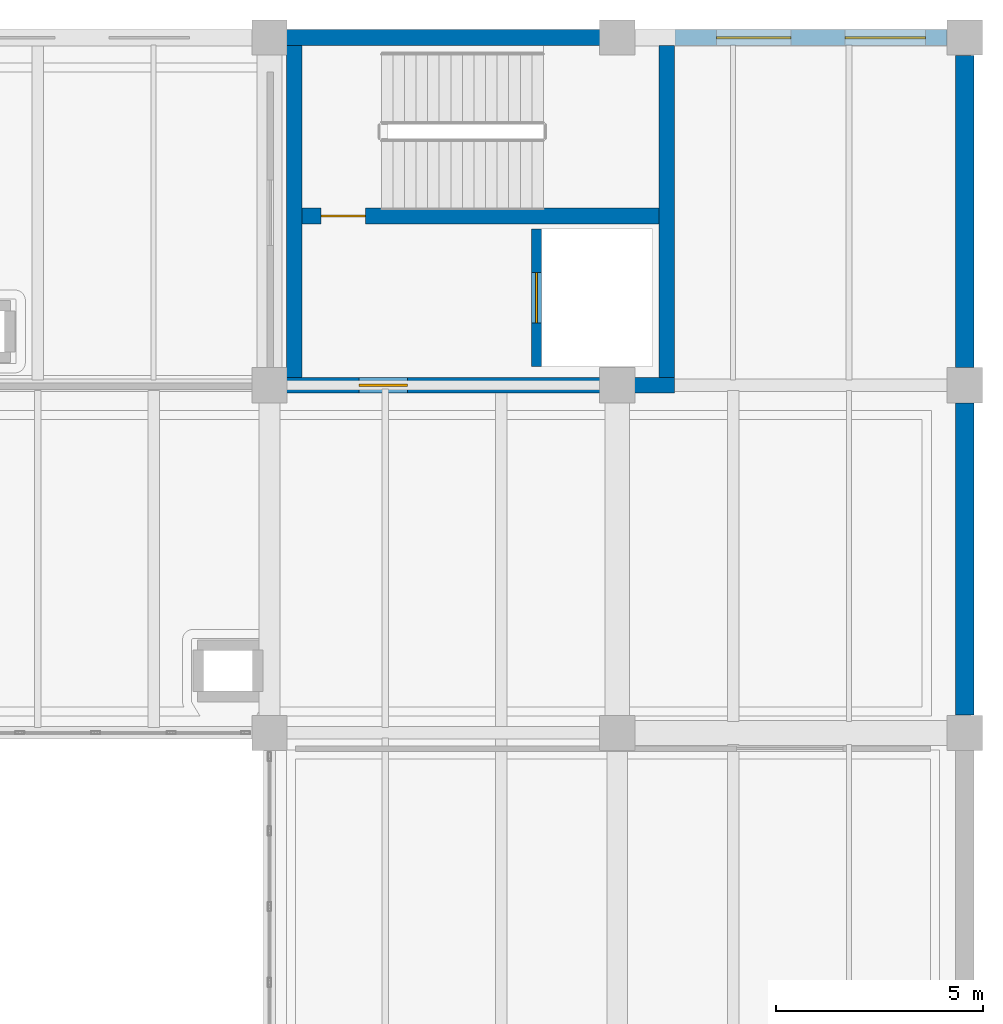
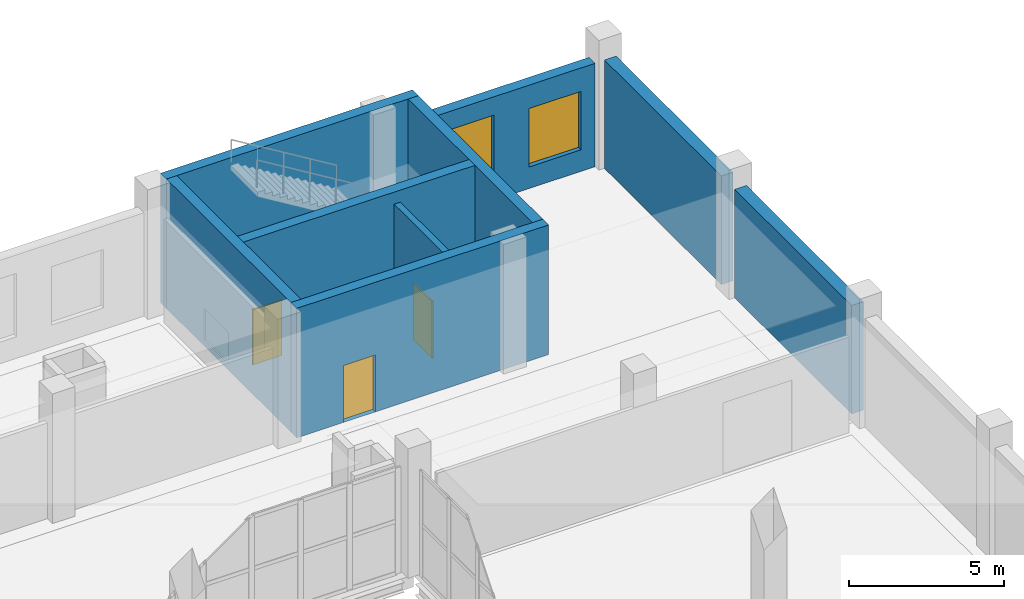
# One storey, part 52 of 66: 9 walls, 3 doors, 2 windows, 5 openings.
"""IFC4 building model written with IfcOpenShell, lengths in metres."""

import ifcopenshell
import ifcopenshell.guid

model = None  # the IFC model being written
_history = None  # IfcOwnerHistory: only IFC2X3 demands one
_inside = {}  # id of a spatial element -> (the spatial element, [elements in it])
_under = {}  # id of a project, library or spatial element -> (it, [spatial elements below it])
_declared = {}  # id of a project -> (the project, [libraries it declares])
_typed = {}  # id of a type object -> (the type object, [elements of that type])
_made_of = {}  # id of a material, layer set ... -> (it, [elements and type objects made of it])


def new_model(schema):
    """Start an empty IFC model of exactly this schema.

    Asked for "IFC4X3", IfcOpenShell would pick the latest addendum, in which some entities
    have other attributes; the version numbers below select the first issue.
    IFC2X3 requires an IfcOwnerHistory on every rooted entity: one is made here for all.
    """
    global model, _history
    if schema == "IFC4X3":
        model = ifcopenshell.file(schema_version=(4, 3, 0, 0))
    else:
        model = ifcopenshell.file(schema=schema)
    _inside.clear()
    _under.clear()
    _declared.clear()
    _typed.clear()
    _made_of.clear()
    _history = None
    if model.schema == "IFC2X3":
        org = make("IfcOrganization", Name="unknown")
        user = make(
            "IfcPersonAndOrganization",
            ThePerson=make("IfcPerson", FamilyName="unknown"),
            TheOrganization=org,
        )
        app = make(
            "IfcApplication",
            ApplicationDeveloper=org,
            Version="unknown",
            ApplicationFullName="unknown",
            ApplicationIdentifier="unknown",
        )
        _history = make(
            "IfcOwnerHistory",
            OwningUser=user,
            OwningApplication=app,
            ChangeAction="ADDED",
            CreationDate=0,
        )
    return model


def make(cls, **values):
    """One entity of the class cls with the attributes given. An attribute that is None is left unset."""
    return model.create_entity(
        cls, **{name: value for name, value in values.items() if value is not None}
    )


def rooted(cls, **values):
    """An entity with a GlobalId (a new one), such as an element, a storey or a relation."""
    return make(cls, GlobalId=ifcopenshell.guid.new(), OwnerHistory=_history, **values)


def si_unit(unit_type, name, prefix=None):
    """IfcSIUnit, for example si_unit("LENGTHUNIT", "METRE", prefix="MILLI")."""
    return make("IfcSIUnit", UnitType=unit_type, Prefix=prefix, Name=name)


def assignment(units):
    """IfcUnitAssignment: the units of a project."""
    return None if units is None else make("IfcUnitAssignment", Units=units)


def point(xyz):
    """IfcCartesianPoint."""
    return None if xyz is None else make("IfcCartesianPoint", Coordinates=xyz)


def direction(xyz):
    """IfcDirection."""
    return None if xyz is None else make("IfcDirection", DirectionRatios=xyz)


def frame(location, z_axis=None, x_axis=None):
    """IfcAxis2Placement3D, a coordinate frame: its origin and axes. An axis left out is left unset."""
    return make(
        "IfcAxis2Placement3D",
        Location=point(location),
        Axis=direction(z_axis),
        RefDirection=direction(x_axis),
    )


def frame_2d(location, x_axis=None):
    """IfcAxis2Placement2D, a coordinate frame in the plane: its origin and x axis."""
    return make(
        "IfcAxis2Placement2D", Location=point(location), RefDirection=direction(x_axis)
    )


def origin():
    """The frame at (0, 0, 0) with its axes left unset."""
    return frame((0.0, 0.0, 0.0))


def place(relative_to, where):
    """IfcLocalPlacement: puts the frame where relative to a parent placement (None: the world)."""
    return make(
        "IfcLocalPlacement", PlacementRelTo=relative_to, RelativePlacement=where
    )


def context(
    kind, dimensions, precision=None, world=None, true_north=None, identifier=None
):
    """IfcGeometricRepresentationContext, for example the 3D "Model" context."""
    return make(
        "IfcGeometricRepresentationContext",
        ContextIdentifier=identifier,
        ContextType=kind,
        CoordinateSpaceDimension=dimensions,
        Precision=precision,
        WorldCoordinateSystem=world,
        TrueNorth=true_north,
    )


def subcontext(parent, identifier, kind, view, scale=None):
    """IfcGeometricRepresentationSubContext, for example "Body" below "Model"."""
    return make(
        "IfcGeometricRepresentationSubContext",
        ContextIdentifier=identifier,
        ContextType=kind,
        ParentContext=parent,
        TargetScale=scale,
        TargetView=view,
    )


def project(units=None, contexts=None):
    """IfcProject with its units and contexts."""
    return rooted(
        "IfcProject",
        Name="project",
        RepresentationContexts=contexts,
        UnitsInContext=assignment(units),
    )


def spatial(cls, under=None, at=None, **own):
    """A site, building, storey or space (cls), placed at a placement, below another one or the project."""
    s = rooted(cls, ObjectPlacement=at, **own)
    if under is not None:
        _under.setdefault(under.id(), (under, []))[1].append(s)
    return s


def profile(cls, at=None, kind="AREA", **sizes):
    """A parametric profile (cls). Its sizes go by their IFC names, for example OverallWidth=200.0."""
    return make(cls, ProfileType=kind, Position=at, **sizes)


def rectangle(**sizes):
    """IfcRectangleProfileDef."""
    return profile("IfcRectangleProfileDef", **sizes)


def extrude(swept, where, along, depth):
    """IfcExtrudedAreaSolid: the profile swept, set in the frame where, extruded along a direction by depth."""
    return make(
        "IfcExtrudedAreaSolid",
        SweptArea=swept,
        Position=where,
        ExtrudedDirection=direction(along),
        Depth=depth,
    )


def shape(context_of_items, identifier, shape_type, items):
    """IfcShapeRepresentation: the items that make up one representation, for example the "Body"."""
    return make(
        "IfcShapeRepresentation",
        ContextOfItems=context_of_items,
        RepresentationIdentifier=identifier,
        RepresentationType=shape_type,
        Items=items,
    )


def material(Name=None, Category=None):
    """IfcMaterial."""
    return make("IfcMaterial", Name=Name, Category=Category)


def layer(
    of_material, thickness, ventilated=None, Name=None, Category=None, Priority=None
):
    """IfcMaterialLayer: one layer of a wall or slab, of a material (None: an air gap)."""
    return make(
        "IfcMaterialLayer",
        Material=of_material,
        LayerThickness=thickness,
        IsVentilated=ventilated,
        Name=Name,
        Category=Category,
        Priority=Priority,
    )


def layer_set(layers, Name=None):
    """IfcMaterialLayerSet."""
    return make("IfcMaterialLayerSet", MaterialLayers=layers, LayerSetName=Name)


def made_of(thing, what):
    """Note that an element or type object is made of a material, layer set ...; save() writes the relation."""
    if what is not None:
        _made_of.setdefault(what.id(), (what, []))[1].append(thing)
    return thing


def type_object(cls, material=None, **own):
    """A type object (cls), such as IfcWallType, which elements share."""
    return made_of(rooted(cls, **own), material)


def element(
    cls,
    number,
    at=None,
    inside=None,
    cuts=None,
    type_object=None,
    material=None,
    context=None,
    identifier="Body",
    shape_type=None,
    held_by="IfcProductDefinitionShape",
    body=None,
    shapes=None,
    **own,
):
    """One element of the class cls, such as IfcWall. Its Tag is "e" and its number.

    at: its placement. inside: the storey or other place that contains it. cuts: it is an
    opening in that element (IfcRelVoidsElement). A single representation is given by context,
    identifier, shape_type and body (its items); several are given by shapes. held_by: the class
    of the entity that holds the representations. save() writes the other relations.
    """
    e = rooted(cls, Tag="e%d" % number, ObjectPlacement=at, **own)
    if body is not None:
        shapes = [shape(context, identifier, shape_type, body)]
    if shapes is not None:
        e.Representation = make(held_by, Representations=shapes)
    if inside is not None:
        _inside.setdefault(inside.id(), (inside, []))[1].append(e)
    if cuts is not None:
        rooted(
            "IfcRelVoidsElement", RelatingBuildingElement=cuts, RelatedOpeningElement=e
        )
    if type_object is not None:
        _typed.setdefault(type_object.id(), (type_object, []))[1].append(e)
    return made_of(e, material)


def fill(opening, filler):
    """IfcRelFillsElement: the door or window that sits in an opening."""
    return rooted(
        "IfcRelFillsElement",
        RelatingOpeningElement=opening,
        RelatedBuildingElement=filler,
    )


def aggregate(whole, parts):
    """IfcRelAggregates: a whole, such as a stair, and the parts it consists of."""
    return rooted("IfcRelAggregates", RelatingObject=whole, RelatedObjects=parts)


def save(model, path):
    """Write the relations noted so far, then the file.

    IfcRelAggregates (storeys below a building ...), IfcRelContainedInSpatialStructure (elements
    in a storey), IfcRelDefinesByType, IfcRelAssociatesMaterial and IfcRelDeclares: one each for
    every whole, place, type object, material and project.
    """
    for whole, parts in _under.values():
        aggregate(whole, parts)
    for where, things in _inside.values():
        rooted(
            "IfcRelContainedInSpatialStructure",
            RelatedElements=things,
            RelatingStructure=where,
        )
    for kind, things in _typed.values():
        rooted("IfcRelDefinesByType", RelatedObjects=things, RelatingType=kind)
    for what, things in _made_of.values():
        rooted("IfcRelAssociatesMaterial", RelatedObjects=things, RelatingMaterial=what)
    for by, libraries in _declared.values():
        rooted("IfcRelDeclares", RelatingContext=by, RelatedDefinitions=libraries)
    model.write(path)


model = new_model("IFC4")

# Units and contexts
model_context = context("Model", 3, precision=1e-05, world=origin(), true_north=direction((0.0, 1.0)))
body_context = subcontext(model_context, "Body", "Model", "MODEL_VIEW")
ifc_project = project(units=[si_unit("LENGTHUNIT", "METRE"), si_unit("AREAUNIT", "SQUARE_METRE"), si_unit("VOLUMEUNIT", "CUBIC_METRE"), si_unit("PLANEANGLEUNIT", "RADIAN"), si_unit("MASSUNIT", "GRAM", prefix="KILO")], contexts=[model_context])

# Site, building, storey
site_placement = place(None, origin())
site = spatial("IfcSite", under=ifc_project, at=site_placement, CompositionType="ELEMENT")
building_placement = place(site_placement, origin())
building = spatial("IfcBuilding", under=site, at=building_placement, Name="Zulmaris Art Gallery", CompositionType="ELEMENT")
storey_placement = place(building_placement, frame((0.0, 0.0, 5.39990234375)))
storey = spatial("IfcBuildingStorey", under=building, at=storey_placement, Name="L01", CompositionType="ELEMENT", Elevation=5.39990234375)

# Walls
ifc_material_1 = material(Name="Omani Cream Limestone Ashlar Masonry", Category="masonry")
ifc_layer_1 = layer(ifc_material_1, 0.43994140625)
ifc_layer_set_1 = layer_set([ifc_layer_1], Name="Omani Cream Limestone Ashlar Masonry")
wall_type_1 = type_object("IfcWallType", Name="ENV-WALL-EW01", PredefinedType="SOLIDWALL", material=ifc_layer_set_1)
wall_1_placement = place(storey_placement, frame((200.39990234375, 59.22705078125, 0.0), z_axis=(0.0, 0.0, 1.0), x_axis=(0.0, 1.0, 0.0)))
element("IfcWall", 1, at=wall_1_placement, inside=storey, type_object=wall_type_1, Name="L01 V5 East Infill Party Wall", PredefinedType="SOLIDWALL", context=body_context, shape_type="SweptSolid", body=[
    extrude(rectangle(XDim=7.5458984375, YDim=0.43994140625, at=frame_2d((3.77294921875, 0.0))), origin(), (0.0, 0.0, 1.0), 4.27001953125),
])
wall_2_placement = place(storey_placement, frame((200.39990234375, 67.626953125, 0.0), z_axis=(0.0, 0.0, 1.0), x_axis=(0.0, 1.0, 0.0)))
element("IfcWall", 2, at=wall_2_placement, inside=storey, type_object=wall_type_1, Name="L01 V5 East Infill Party Wall", PredefinedType="SOLIDWALL", context=body_context, shape_type="SweptSolid", body=[
    extrude(rectangle(XDim=7.546142578125, YDim=0.43994140625, at=frame_2d((3.77294921875, 0.0))), origin(), (0.0, 0.0, 1.0), 4.27001953125),
])

# Wall, openings, windows
ifc_material_2 = material(Name="Omani Desert Rose Limestone Cladding Wall", Category="masonry")
ifc_layer_2 = layer(ifc_material_2, 0.389892578125)
ifc_layer_set_2 = layer_set([ifc_layer_2], Name="Omani Desert Rose Limestone Cladding Wall")
wall_type_2 = type_object("IfcWallType", Name="ENV-WALL-EW02", PredefinedType="SOLIDWALL", material=ifc_layer_set_2)
wall_3_placement = place(storey_placement, frame((193.39208984375, 75.60009765625, 0.0), z_axis=(0.0, 0.0, 1.0), x_axis=(1.0, 0.0, 0.0)))
wall_3 = element("IfcWall", 3, at=wall_3_placement, inside=storey, type_object=wall_type_2, Name="L01 V5 North Studio Daylight Facade Bay 7", PredefinedType="SOLIDWALL", context=body_context, shape_type="SweptSolid", body=[
    extrude(rectangle(XDim=6.580810546875, YDim=0.389892578125, at=frame_2d((3.29052734375, 0.0))), origin(), (0.0, 0.0, 1.0), 4.070068359375),
])
opening_1_placement = place(wall_3_placement, frame((1.008056640625, 0.0, 0.85009765625)))
opening_1 = element("IfcOpeningElement", 4, at=opening_1_placement, cuts=wall_3, Name="Opening W02", PredefinedType="OPENING", context=body_context, shape_type="SweptSolid", body=[
    extrude(rectangle(XDim=1.800048828125, YDim=2.5, at=frame_2d((0.89990234375, 1.25))), frame((0.0, 0.204833984375, 0.0), z_axis=(0.0, -1.0, 0.0), x_axis=(1.0, 0.0, 0.0)), (0.0, 0.0, 1.0), 0.409912109375),
])
opening_2_placement = place(wall_3_placement, frame((4.10791015625, 0.0, 0.85009765625)))
opening_2 = element("IfcOpeningElement", 5, at=opening_2_placement, cuts=wall_3, Name="Opening W08", PredefinedType="OPENING", context=body_context, shape_type="SweptSolid", body=[
    extrude(rectangle(XDim=1.949951171875, YDim=2.300048828125, at=frame_2d((0.97509765625, 1.14990234375))), frame((0.0, 0.204833984375, 0.0), z_axis=(0.0, -1.0, 0.0), x_axis=(1.0, 0.0, 0.0)), (0.0, 0.0, 1.0), 0.409912109375),
])
ifc_material_3 = material(Name="Double-Glazed Solar-Control Low-E Window", Category="glass")
window_type_1 = type_object("IfcWindowType", Name="WIN-W02", PartitioningType="SINGLE_PANEL", PredefinedType="WINDOW", material=ifc_material_3)
window_1_placement = place(opening_1_placement, origin())
window_1 = element("IfcWindow", 6, at=window_1_placement, inside=storey, type_object=window_type_1, Name="L01 exterior window W02", OverallHeight=2.5, OverallWidth=1.800048828125, PartitioningType="SINGLE_PANEL", PredefinedType="WINDOW", context=body_context, shape_type="SweptSolid", body=[
    extrude(rectangle(XDim=1.800048828125, YDim=2.5, at=frame_2d((0.89990234375, 1.25))), frame((0.0, 0.030029296875, 0.0), z_axis=(0.0, -1.0, 0.0), x_axis=(1.0, 0.0, 0.0)), (0.0, 0.0, 1.0), 0.06005859375),
])
fill(opening_1, window_1)
ifc_material_4 = material(Name="Curatorial North Studio Window", Category="glass")
window_type_2 = type_object("IfcWindowType", Name="WIN-W08", PartitioningType="SINGLE_PANEL", PredefinedType="WINDOW", material=ifc_material_4)
window_2_placement = place(opening_2_placement, origin())
window_2 = element("IfcWindow", 7, at=window_2_placement, inside=storey, type_object=window_type_2, Name="L01 exterior window W08", OverallHeight=2.300048828125, OverallWidth=1.949951171875, PartitioningType="SINGLE_PANEL", PredefinedType="WINDOW", context=body_context, shape_type="SweptSolid", body=[
    extrude(rectangle(XDim=1.949951171875, YDim=2.300048828125, at=frame_2d((0.97509765625, 1.14990234375))), frame((0.0, 0.030029296875, 0.0), z_axis=(0.0, -1.0, 0.0), x_axis=(1.0, 0.0, 0.0)), (0.0, 0.0, 1.0), 0.06005859375),
])
fill(opening_2, window_2)

# Wall, opening, door
ifc_material_5 = material(Name="Core Lobby Fire-Resisting Masonry Wall", Category="masonry")
ifc_layer_3 = layer(ifc_material_5, 0.235107421875)
ifc_layer_set_3 = layer_set([ifc_layer_3], Name="Core Lobby Fire-Resisting Masonry Wall")
wall_type_3 = type_object("IfcWallType", Name="IWALL-PW10", PredefinedType="PARTITIONING", material=ifc_layer_set_3)
wall_4_placement = place(storey_placement, frame((190.050048828125, 67.64990234375, 0.0), z_axis=(0.0, 0.0, 1.0), x_axis=(0.0, 1.0, 0.0)))
wall_4 = element("IfcWall", 8, at=wall_4_placement, inside=storey, type_object=wall_type_3, Name="LF-F1 L01 lift shaft front wall", PredefinedType="PARTITIONING", context=body_context, shape_type="SweptSolid", body=[
    extrude(rectangle(XDim=3.330078125, YDim=0.235107421875, at=frame_2d((1.6650390625, 0.0))), origin(), (0.0, 0.0, 1.0), 4.72021484375),
])
opening_3_placement = place(wall_4_placement, frame((1.054931640625, 0.0, 0.0)))
opening_3 = element("IfcOpeningElement", 9, at=opening_3_placement, cuts=wall_4, Name="Opening LD02", PredefinedType="OPENING", context=body_context, shape_type="SweptSolid", body=[
    extrude(rectangle(XDim=1.219970703125, YDim=2.239990234375, at=frame_2d((0.60986328125, 1.1201171875))), frame((0.0, 0.12744140625, 0.0), z_axis=(0.0, -1.0, 0.0), x_axis=(1.0, 0.0, 0.0)), (0.0, 0.0, 1.0), 0.255126953125),
])
ifc_material_6 = material(Name="Firefighting Lift Sliding Landing Door", Category="steel")
door_type_1 = type_object("IfcDoorType", Name="IDOOR-LD02", OperationType="SLIDING_TO_RIGHT", PredefinedType="DOOR", material=ifc_material_6)
door_1_placement = place(opening_3_placement, origin())
door_1 = element("IfcDoor", 10, at=door_1_placement, inside=storey, type_object=door_type_1, Name="LF-F1 L01 Lift Landing Sliding Door", OperationType="SLIDING_TO_RIGHT", OverallHeight=2.239990234375, OverallWidth=1.219970703125, PredefinedType="DOOR", context=body_context, shape_type="SweptSolid", body=[
    extrude(rectangle(XDim=1.219970703125, YDim=2.239990234375, at=frame_2d((0.60986328125, 1.1201171875))), frame((0.0, 0.02490234375, 0.0), z_axis=(0.0, -1.0, 0.0), x_axis=(1.0, 0.0, 0.0)), (0.0, 0.0, 1.0), 0.050048828125),
])
fill(opening_3, door_1)

ifc_material_7 = material(Name="Concrete C50/60", Category="concrete")
ifc_layer_4 = layer(ifc_material_7, 0.3798828125)
ifc_layer_set_4 = layer_set([ifc_layer_4], Name="Concrete C50/60")
wall_type_4 = type_object("IfcWallType", Name="STR-WALL-SW02", PredefinedType="SHEAR", material=ifc_layer_set_4)
wall_5_placement = place(storey_placement, frame((184.010009765625, 67.199951171875, 0.0), z_axis=(0.0, 0.0, 1.0), x_axis=(1.0, 0.0, 0.0)))
wall_5 = element("IfcWall", 11, at=wall_5_placement, inside=storey, type_object=wall_type_4, Name="Core C4 L01 S shear wall", PredefinedType="SHEAR", context=body_context, shape_type="SweptSolid", body=[
    extrude(rectangle(XDim=9.3798828125, YDim=0.3798828125, at=frame_2d((4.68994140625, 0.0))), origin(), (0.0, 0.0, 1.0), 5.10009765625),
])
opening_4_placement = place(wall_5_placement, frame((1.75, 0.0, 0.0)))
opening_4 = element("IfcOpeningElement", 12, at=opening_4_placement, cuts=wall_5, Name="Opening D08", PredefinedType="OPENING", context=body_context, shape_type="SweptSolid", body=[
    extrude(rectangle(XDim=1.179931640625, YDim=2.239990234375, at=frame_2d((0.58984375, 1.1201171875))), frame((0.0, 0.199951171875, 0.0), z_axis=(0.0, -1.0, 0.0), x_axis=(1.0, 0.0, 0.0)), (0.0, 0.0, 1.0), 0.39990234375),
])
ifc_material_8 = material(Name="Firefighting Lobby Compartment Door", Category="steel")
door_type_2 = type_object("IfcDoorType", Name="IDOOR-D08", OperationType="NOTDEFINED", PredefinedType="DOOR", material=ifc_material_8)
door_2_placement = place(opening_4_placement, origin())
door_2 = element("IfcDoor", 13, at=door_2_placement, inside=storey, type_object=door_type_2, Name="Core C4 L01 Lobby Compartment Door", OperationType="SINGLE_SWING_RIGHT", OverallHeight=2.239990234375, OverallWidth=1.179931640625, PredefinedType="DOOR", context=body_context, shape_type="SweptSolid", body=[
    extrude(rectangle(XDim=1.179931640625, YDim=2.239990234375, at=frame_2d((0.58984375, 1.1201171875))), frame((0.0, 0.02490234375, 0.0), z_axis=(0.0, -1.0, 0.0), x_axis=(1.0, 0.0, 0.0)), (0.0, 0.0, 1.0), 0.050048828125),
])
fill(opening_4, door_2)

# Walls
wall_6_placement = place(storey_placement, frame((184.010009765625, 75.60009765625, 0.0), z_axis=(0.0, 0.0, 1.0), x_axis=(1.0, 0.0, 0.0)))
element("IfcWall", 14, at=wall_6_placement, inside=storey, type_object=wall_type_4, Name="Core C4 L01 N shear wall", PredefinedType="SHEAR", context=body_context, shape_type="SweptSolid", body=[
    extrude(rectangle(XDim=9.3798828125, YDim=0.3798828125, at=frame_2d((4.68994140625, 0.0))), origin(), (0.0, 0.0, 1.0), 5.10009765625),
])
for number, where, z_axis, x_axis, name in (
    (15, (184.199951171875, 67.389892578125, 0.0), (0.0, 0.0, 1.0), (0.0, 1.0, 0.0), "Core C4 L01 W shear wall"),
    (16, (193.199951171875, 67.389892578125, 0.0), (0.0, 0.0, 1.0), (0.0, 1.0, 0.0), "Core C4 L01 E shear wall"),
):
    element("IfcWall", number, at=place(storey_placement, frame(where, z_axis=z_axis, x_axis=x_axis)), inside=storey, type_object=wall_type_4, Name=name, PredefinedType="SHEAR", context=body_context, shape_type="SweptSolid", body=[
        extrude(rectangle(XDim=8.02001953125, YDim=0.3798828125, at=frame_2d((4.010009765625, 0.0))), origin(), (0.0, 0.0, 1.0), 5.10009765625),
    ])

# Wall, opening, door
wall_7_placement = place(storey_placement, frame((184.389892578125, 71.2900390625, 0.0), z_axis=(0.0, 0.0, 1.0), x_axis=(1.0, 0.0, 0.0)))
wall_7 = element("IfcWall", 17, at=wall_7_placement, inside=storey, type_object=wall_type_4, Name="Core C4 L01 DIV shear wall", PredefinedType="SHEAR", context=body_context, shape_type="SweptSolid", body=[
    extrude(rectangle(XDim=8.6201171875, YDim=0.3798828125, at=frame_2d((4.31005859375, 0.0))), origin(), (0.0, 0.0, 1.0), 5.10009765625),
])
opening_5_placement = place(wall_7_placement, frame((0.449951171875, 0.0, 0.0)))
opening_5 = element("IfcOpeningElement", 18, at=opening_5_placement, cuts=wall_7, Name="Opening D07", PredefinedType="OPENING", context=body_context, shape_type="SweptSolid", body=[
    extrude(rectangle(XDim=1.080078125, YDim=2.179931640625, at=frame_2d((0.5400390625, 1.08984375))), frame((0.0, 0.199951171875, 0.0), z_axis=(0.0, -1.0, 0.0), x_axis=(1.0, 0.0, 0.0)), (0.0, 0.0, 1.0), 0.39990234375),
])
ifc_material_9 = material(Name="Stairwell Fire Escape Door", Category="steel")
door_type_3 = type_object("IfcDoorType", Name="IDOOR-D07", OperationType="NOTDEFINED", PredefinedType="DOOR", material=ifc_material_9)
door_3_placement = place(opening_5_placement, origin())
door_3 = element("IfcDoor", 19, at=door_3_placement, inside=storey, type_object=door_type_3, Name="Core C4 L01 Stair ST4 Fire Door", OperationType="SINGLE_SWING_LEFT", OverallHeight=2.179931640625, OverallWidth=1.080078125, PredefinedType="DOOR", context=body_context, shape_type="SweptSolid", body=[
    extrude(rectangle(XDim=1.080078125, YDim=2.179931640625, at=frame_2d((0.5400390625, 1.08984375))), frame((0.0, 0.02490234375, 0.0), z_axis=(0.0, -1.0, 0.0), x_axis=(1.0, 0.0, 0.0)), (0.0, 0.0, 1.0), 0.050048828125),
])
fill(opening_5, door_3)

save(model, "model.ifc")
